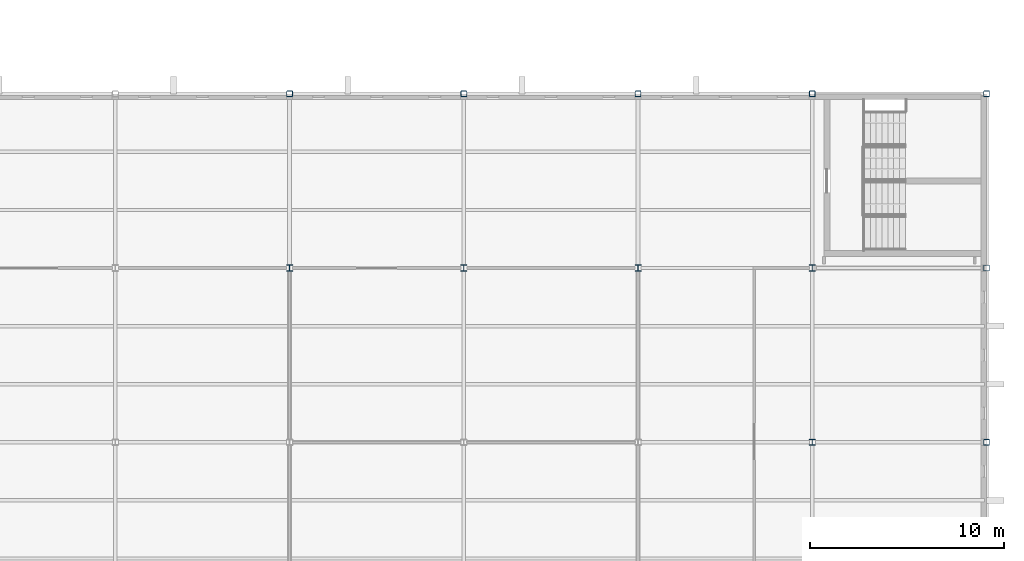
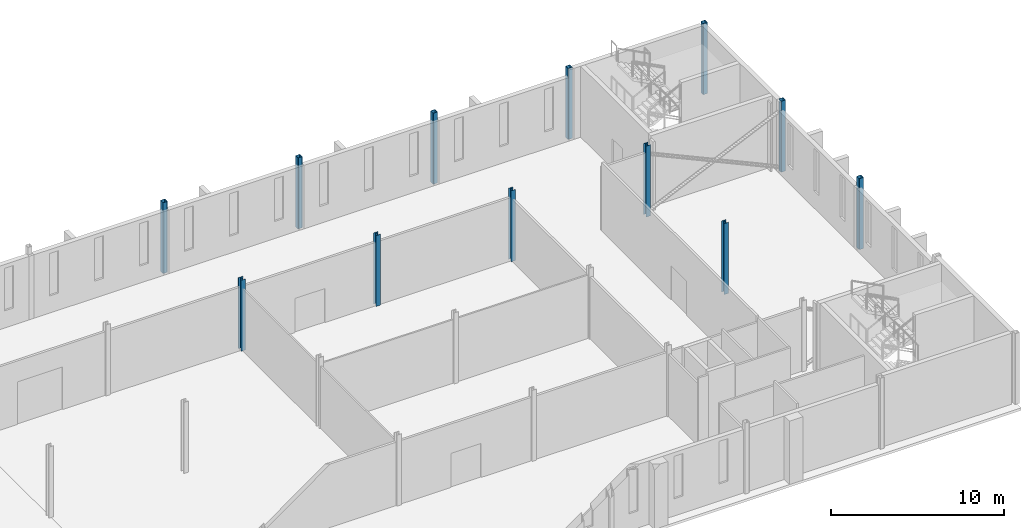
# One storey, part 16 of 115: 12 columns.
"""IFC4 building model written with IfcOpenShell, lengths in metres."""

import ifcopenshell
import ifcopenshell.guid

model = None  # the IFC model being written
_history = None  # IfcOwnerHistory: only IFC2X3 demands one
_inside = {}  # id of a spatial element -> (the spatial element, [elements in it])
_under = {}  # id of a project, library or spatial element -> (it, [spatial elements below it])
_declared = {}  # id of a project -> (the project, [libraries it declares])
_typed = {}  # id of a type object -> (the type object, [elements of that type])
_made_of = {}  # id of a material, layer set ... -> (it, [elements and type objects made of it])


def new_model(schema):
    """Start an empty IFC model of exactly this schema.

    Asked for "IFC4X3", IfcOpenShell would pick the latest addendum, in which some entities
    have other attributes; the version numbers below select the first issue.
    IFC2X3 requires an IfcOwnerHistory on every rooted entity: one is made here for all.
    """
    global model, _history
    if schema == "IFC4X3":
        model = ifcopenshell.file(schema_version=(4, 3, 0, 0))
    else:
        model = ifcopenshell.file(schema=schema)
    _inside.clear()
    _under.clear()
    _declared.clear()
    _typed.clear()
    _made_of.clear()
    _history = None
    if model.schema == "IFC2X3":
        org = make("IfcOrganization", Name="unknown")
        user = make(
            "IfcPersonAndOrganization",
            ThePerson=make("IfcPerson", FamilyName="unknown"),
            TheOrganization=org,
        )
        app = make(
            "IfcApplication",
            ApplicationDeveloper=org,
            Version="unknown",
            ApplicationFullName="unknown",
            ApplicationIdentifier="unknown",
        )
        _history = make(
            "IfcOwnerHistory",
            OwningUser=user,
            OwningApplication=app,
            ChangeAction="ADDED",
            CreationDate=0,
        )
    return model


def make(cls, **values):
    """One entity of the class cls with the attributes given. An attribute that is None is left unset."""
    return model.create_entity(
        cls, **{name: value for name, value in values.items() if value is not None}
    )


def rooted(cls, **values):
    """An entity with a GlobalId (a new one), such as an element, a storey or a relation."""
    return make(cls, GlobalId=ifcopenshell.guid.new(), OwnerHistory=_history, **values)


def si_unit(unit_type, name, prefix=None):
    """IfcSIUnit, for example si_unit("LENGTHUNIT", "METRE", prefix="MILLI")."""
    return make("IfcSIUnit", UnitType=unit_type, Prefix=prefix, Name=name)


def assignment(units):
    """IfcUnitAssignment: the units of a project."""
    return None if units is None else make("IfcUnitAssignment", Units=units)


def point(xyz):
    """IfcCartesianPoint."""
    return None if xyz is None else make("IfcCartesianPoint", Coordinates=xyz)


def direction(xyz):
    """IfcDirection."""
    return None if xyz is None else make("IfcDirection", DirectionRatios=xyz)


def frame(location, z_axis=None, x_axis=None):
    """IfcAxis2Placement3D, a coordinate frame: its origin and axes. An axis left out is left unset."""
    return make(
        "IfcAxis2Placement3D",
        Location=point(location),
        Axis=direction(z_axis),
        RefDirection=direction(x_axis),
    )


def frame_2d(location, x_axis=None):
    """IfcAxis2Placement2D, a coordinate frame in the plane: its origin and x axis."""
    return make(
        "IfcAxis2Placement2D", Location=point(location), RefDirection=direction(x_axis)
    )


def origin():
    """The frame at (0, 0, 0) with its axes left unset."""
    return frame((0.0, 0.0, 0.0))


def origin_2d():
    """The frame at (0, 0) in the plane with its x axis left unset."""
    return frame_2d((0.0, 0.0))


def place(relative_to, where):
    """IfcLocalPlacement: puts the frame where relative to a parent placement (None: the world)."""
    return make(
        "IfcLocalPlacement", PlacementRelTo=relative_to, RelativePlacement=where
    )


def context(
    kind, dimensions, precision=None, world=None, true_north=None, identifier=None
):
    """IfcGeometricRepresentationContext, for example the 3D "Model" context."""
    return make(
        "IfcGeometricRepresentationContext",
        ContextIdentifier=identifier,
        ContextType=kind,
        CoordinateSpaceDimension=dimensions,
        Precision=precision,
        WorldCoordinateSystem=world,
        TrueNorth=true_north,
    )


def subcontext(parent, identifier, kind, view, scale=None):
    """IfcGeometricRepresentationSubContext, for example "Body" below "Model"."""
    return make(
        "IfcGeometricRepresentationSubContext",
        ContextIdentifier=identifier,
        ContextType=kind,
        ParentContext=parent,
        TargetScale=scale,
        TargetView=view,
    )


def project(units=None, contexts=None):
    """IfcProject with its units and contexts."""
    return rooted(
        "IfcProject",
        Name="project",
        RepresentationContexts=contexts,
        UnitsInContext=assignment(units),
    )


def spatial(cls, under=None, at=None, **own):
    """A site, building, storey or space (cls), placed at a placement, below another one or the project."""
    s = rooted(cls, ObjectPlacement=at, **own)
    if under is not None:
        _under.setdefault(under.id(), (under, []))[1].append(s)
    return s


def profile(cls, at=None, kind="AREA", **sizes):
    """A parametric profile (cls). Its sizes go by their IFC names, for example OverallWidth=200.0."""
    return make(cls, ProfileType=kind, Position=at, **sizes)


def hollow_rectangle(**sizes):
    """IfcRectangleHollowProfileDef."""
    return profile("IfcRectangleHollowProfileDef", **sizes)


def i_section(**sizes):
    """IfcIShapeProfileDef."""
    return profile("IfcIShapeProfileDef", **sizes)


def extrude(swept, where, along, depth):
    """IfcExtrudedAreaSolid: the profile swept, set in the frame where, extruded along a direction by depth."""
    return make(
        "IfcExtrudedAreaSolid",
        SweptArea=swept,
        Position=where,
        ExtrudedDirection=direction(along),
        Depth=depth,
    )


def shape(context_of_items, identifier, shape_type, items):
    """IfcShapeRepresentation: the items that make up one representation, for example the "Body"."""
    return make(
        "IfcShapeRepresentation",
        ContextOfItems=context_of_items,
        RepresentationIdentifier=identifier,
        RepresentationType=shape_type,
        Items=items,
    )


def material(Name=None, Category=None):
    """IfcMaterial."""
    return make("IfcMaterial", Name=Name, Category=Category)


def material_profile(
    of_material, cross_section, Name=None, Category=None, Priority=None
):
    """IfcMaterialProfile: a cross section and its material."""
    return make(
        "IfcMaterialProfile",
        Name=Name,
        Material=of_material,
        Profile=cross_section,
        Priority=Priority,
        Category=Category,
    )


def profile_set(profiles, Name=None, composite=None):
    """IfcMaterialProfileSet."""
    return make(
        "IfcMaterialProfileSet",
        Name=Name,
        MaterialProfiles=profiles,
        CompositeProfile=composite,
    )


def made_of(thing, what):
    """Note that an element or type object is made of a material, layer set ...; save() writes the relation."""
    if what is not None:
        _made_of.setdefault(what.id(), (what, []))[1].append(thing)
    return thing


def type_object(cls, material=None, **own):
    """A type object (cls), such as IfcWallType, which elements share."""
    return made_of(rooted(cls, **own), material)


def element(
    cls,
    number,
    at=None,
    inside=None,
    cuts=None,
    type_object=None,
    material=None,
    context=None,
    identifier="Body",
    shape_type=None,
    held_by="IfcProductDefinitionShape",
    body=None,
    shapes=None,
    **own,
):
    """One element of the class cls, such as IfcWall. Its Tag is "e" and its number.

    at: its placement. inside: the storey or other place that contains it. cuts: it is an
    opening in that element (IfcRelVoidsElement). A single representation is given by context,
    identifier, shape_type and body (its items); several are given by shapes. held_by: the class
    of the entity that holds the representations. save() writes the other relations.
    """
    e = rooted(cls, Tag="e%d" % number, ObjectPlacement=at, **own)
    if body is not None:
        shapes = [shape(context, identifier, shape_type, body)]
    if shapes is not None:
        e.Representation = make(held_by, Representations=shapes)
    if inside is not None:
        _inside.setdefault(inside.id(), (inside, []))[1].append(e)
    if cuts is not None:
        rooted(
            "IfcRelVoidsElement", RelatingBuildingElement=cuts, RelatedOpeningElement=e
        )
    if type_object is not None:
        _typed.setdefault(type_object.id(), (type_object, []))[1].append(e)
    return made_of(e, material)


def aggregate(whole, parts):
    """IfcRelAggregates: a whole, such as a stair, and the parts it consists of."""
    return rooted("IfcRelAggregates", RelatingObject=whole, RelatedObjects=parts)


def save(model, path):
    """Write the relations noted so far, then the file.

    IfcRelAggregates (storeys below a building ...), IfcRelContainedInSpatialStructure (elements
    in a storey), IfcRelDefinesByType, IfcRelAssociatesMaterial and IfcRelDeclares: one each for
    every whole, place, type object, material and project.
    """
    for whole, parts in _under.values():
        aggregate(whole, parts)
    for where, things in _inside.values():
        rooted(
            "IfcRelContainedInSpatialStructure",
            RelatedElements=things,
            RelatingStructure=where,
        )
    for kind, things in _typed.values():
        rooted("IfcRelDefinesByType", RelatedObjects=things, RelatingType=kind)
    for what, things in _made_of.values():
        rooted("IfcRelAssociatesMaterial", RelatedObjects=things, RelatingMaterial=what)
    for by, libraries in _declared.values():
        rooted("IfcRelDeclares", RelatingContext=by, RelatedDefinitions=libraries)
    model.write(path)


model = new_model("IFC4")

# Units and contexts
model_context = context("Model", 3, precision=1e-05, world=origin(), true_north=direction((0.0, 1.0)))
body_context = subcontext(model_context, "Body", "Model", "MODEL_VIEW")
ifc_project = project(units=[si_unit("LENGTHUNIT", "METRE"), si_unit("AREAUNIT", "SQUARE_METRE"), si_unit("VOLUMEUNIT", "CUBIC_METRE"), si_unit("PLANEANGLEUNIT", "RADIAN"), si_unit("MASSUNIT", "GRAM", prefix="KILO")], contexts=[model_context])

# Site, building, storey
site_placement = place(None, origin())
site = spatial("IfcSite", under=ifc_project, at=site_placement, CompositionType="ELEMENT")
building_placement = place(site_placement, origin())
building = spatial("IfcBuilding", under=site, at=building_placement, Name="Shorebreak Coast Museum", CompositionType="ELEMENT")
storey_placement = place(building_placement, frame((0.0, 0.0, 11.0)))
storey = spatial("IfcBuildingStorey", under=building, at=storey_placement, Name="L02", CompositionType="ELEMENT", Elevation=11.0)

# Columns
ifc_material_1 = material(Name="Steel Grade C450L0", Category="steel")
ifc_material_profile_1 = material_profile(ifc_material_1, hollow_rectangle(XDim=0.300048828125, YDim=0.300048828125, WallThickness=0.012451171875, InnerFilletRadius=0.018798828125, OuterFilletRadius=0.03125, at=origin_2d()), Name="300x300x12.5 SHS")
ifc_profile_set_1 = profile_set([ifc_material_profile_1], Name="Steel Grade C450L0")
column_type_1 = type_object("IfcColumnType", Name="Column 300x300x12.5 SHS", PredefinedType="COLUMN", material=ifc_profile_set_1)
for number, where, z_axis, x_axis, name in (
    (1, (171.0, 72.0, 0.0), (0.0, 0.0, 1.0), (1.0, 0.0, 0.0), "Column L02 20J"),
    (2, (171.0, 81.0, 0.0), (0.0, 0.0, 1.0), (1.0, 0.0, 0.0), "Column L02 20K"),
    (3, (135.0, 90.0, 0.0), (0.0, 0.0, 1.0), (1.0, 0.0, 0.0), "Column L02 16L"),
    (4, (144.0, 90.0, 0.0), (0.0, 0.0, 1.0), (1.0, 0.0, 0.0), "Column L02 17L"),
    (5, (153.0, 90.0, 0.0), (0.0, 0.0, 1.0), (1.0, 0.0, 0.0), "Column L02 18L"),
    (6, (162.0, 90.0, 0.0), (0.0, 0.0, 1.0), (1.0, 0.0, 0.0), "Column L02 19L"),
    (7, (171.0, 90.0, 0.0), (0.0, 0.0, 1.0), (1.0, 0.0, 0.0), "Column L02 20L"),
):
    element("IfcColumn", number, at=place(storey_placement, frame(where, z_axis=z_axis, x_axis=x_axis)), inside=storey, type_object=column_type_1, Name=name, PredefinedType="COLUMN", context=body_context, shape_type="SweptSolid", body=[
        extrude(hollow_rectangle(XDim=0.300048828125, YDim=0.300048828125, WallThickness=0.012451171875, InnerFilletRadius=0.018798828125, OuterFilletRadius=0.03125, at=origin_2d()), origin(), (0.0, 0.0, 1.0), 5.0),
    ])
ifc_material_2 = material(Name="Steel Grade 300", Category="steel")
ifc_material_profile_2 = material_profile(ifc_material_2, i_section(OverallWidth=0.306884765625, OverallDepth=0.314697265625, WebThickness=0.011962890625, FlangeThickness=0.018798828125, FilletRadius=0.0166015625, at=origin_2d()), Name="310UC118")
ifc_profile_set_2 = profile_set([ifc_material_profile_2], Name="Steel Grade 300")
column_type_2 = type_object("IfcColumnType", Name="Column 310UC118", PredefinedType="COLUMN", material=ifc_profile_set_2)
for number, where, z_axis, x_axis, name in (
    (8, (162.0, 72.0, 0.0), (0.0, 0.0, 1.0), (1.0, 0.0, 0.0), "Column L02 19J"),
    (9, (135.0, 81.0, 0.0), (0.0, 0.0, 1.0), (1.0, 0.0, 0.0), "Column L02 16K"),
    (10, (144.0, 81.0, 0.0), (0.0, 0.0, 1.0), (1.0, 0.0, 0.0), "Column L02 17K"),
    (11, (153.0, 81.0, 0.0), (0.0, 0.0, 1.0), (1.0, 0.0, 0.0), "Column L02 18K"),
    (12, (162.0, 81.0, 0.0), (0.0, 0.0, 1.0), (1.0, 0.0, 0.0), "Column L02 19K"),
):
    element("IfcColumn", number, at=place(storey_placement, frame(where, z_axis=z_axis, x_axis=x_axis)), inside=storey, type_object=column_type_2, Name=name, PredefinedType="COLUMN", context=body_context, shape_type="SweptSolid", body=[
        extrude(i_section(OverallWidth=0.306884765625, OverallDepth=0.314697265625, WebThickness=0.011962890625, FlangeThickness=0.018798828125, FilletRadius=0.0166015625, at=origin_2d()), origin(), (0.0, 0.0, 1.0), 5.0),
    ])

save(model, "model.ifc")
